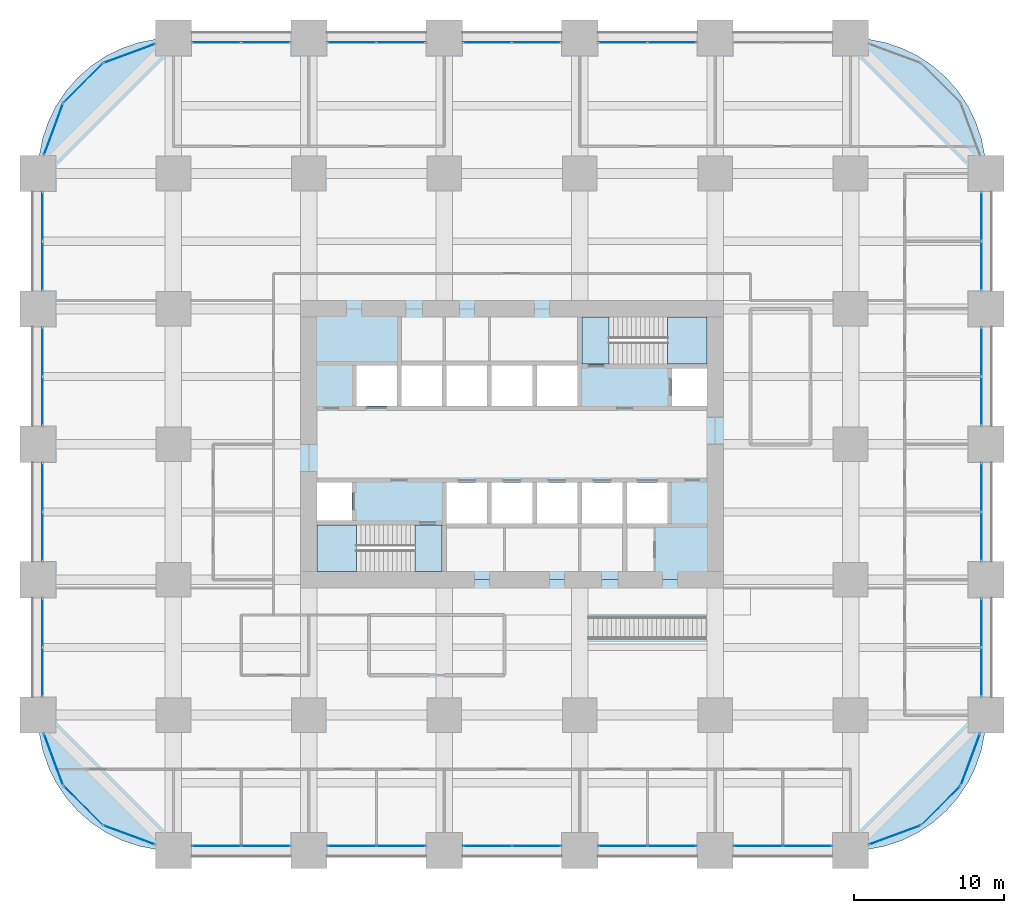
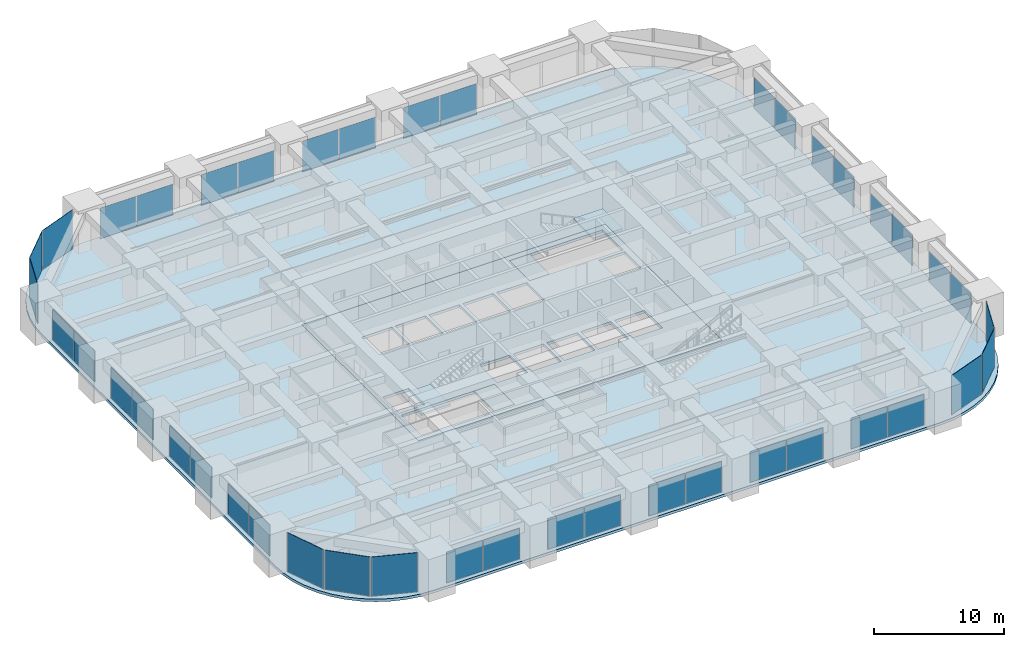
# One storey, part 38 of 45: 43 plates, 6 slabs, 28 elements without a shape of their own.
"""IFC4 building model written with IfcOpenShell, lengths in metres."""

from ifc_helpers import new_model, si_unit, direction, frame, origin, origin_2d, place, context, subcontext, project, spatial, polyline, rectangle, outline, extrude, material, layer, layer_set, type_object, element, aggregate, save


model = new_model("IFC4")

# Units and contexts
model_context = context("Model", 3, precision=1e-05, world=origin(), true_north=direction((0.0, 1.0)))
body_context = subcontext(model_context, "Body", "Model", "MODEL_VIEW")
ifc_project = project(units=[si_unit("LENGTHUNIT", "METRE"), si_unit("AREAUNIT", "SQUARE_METRE"), si_unit("VOLUMEUNIT", "CUBIC_METRE"), si_unit("PLANEANGLEUNIT", "RADIAN"), si_unit("MASSUNIT", "GRAM", prefix="KILO")], contexts=[model_context])

# Site, building, storey
site_placement = place(None, origin())
site = spatial("IfcSite", under=ifc_project, at=site_placement, CompositionType="ELEMENT")
building_placement = place(site_placement, origin())
building = spatial("IfcBuilding", under=site, at=building_placement, Name="Zorevar Civic Tower", CompositionType="ELEMENT")
storey_placement = place(building_placement, frame((0.0, 0.0, 23.800048828125)))
storey = spatial("IfcBuildingStorey", under=building, at=storey_placement, Name="L05", CompositionType="ELEMENT", Elevation=23.800048828125)

# Curtain wall, plates
ifc_material_1 = material(Name="Dark grey solar-control glass in black aluminium frame", Category="aluminium")
curtain_wall_type = type_object("IfcCurtainWallType", Name="Curtain wall CW2 low zone", PredefinedType="NOTDEFINED", material=ifc_material_1)
curtain_wall_1_placement = place(storey_placement, origin())
curtain_wall_1 = element("IfcCurtainWall", 1, at=curtain_wall_1_placement, inside=storey, type_object=curtain_wall_type, Name="CW2 L05", PredefinedType="NOTDEFINED")
ifc_material_2 = material(Name="Dark grey solar-control glass", Category="glass")
ifc_layer_1 = layer(ifc_material_2, 0.031982421875)
ifc_layer_set_1 = layer_set([ifc_layer_1], Name="CW2 panel 32")
plate_type = type_object("IfcPlateType", Name="CW2 panel 32", PredefinedType="CURTAIN_PANEL", material=ifc_layer_set_1)
plate_1_placement = place(storey_placement, frame((11.864990234375, 0.300048828125, 0.06005859375), z_axis=(0.0, 0.0, 1.0), x_axis=(1.0, 0.0, 0.0)))
plate_1 = element("IfcPlate", 2, at=plate_1_placement, type_object=plate_type, Name="CW2 panel 1.1", PredefinedType="CURTAIN_PANEL", context=body_context, shape_type="SweptSolid", body=[
    extrude(rectangle(XDim=3.2099609375, YDim=0.031982421875, at=origin_2d()), origin(), (0.0, 0.0, 1.0), 2.889892578125),
])
plate_2_placement = place(storey_placement, frame((15.135009765625, 0.300048828125, 0.06005859375), z_axis=(0.0, 0.0, 1.0), x_axis=(1.0, 0.0, 0.0)))
plate_2 = element("IfcPlate", 3, at=plate_2_placement, type_object=plate_type, Name="CW2 panel 2.1", PredefinedType="CURTAIN_PANEL", context=body_context, shape_type="SweptSolid", body=[
    extrude(rectangle(XDim=3.2099609375, YDim=0.031982421875, at=origin_2d()), origin(), (0.0, 0.0, 1.0), 2.889892578125),
])
aggregate(curtain_wall_1, [plate_1, plate_2])

curtain_wall_2_placement = place(storey_placement, origin())
curtain_wall_2 = element("IfcCurtainWall", 4, at=curtain_wall_2_placement, inside=storey, type_object=curtain_wall_type, Name="CW2 L05", PredefinedType="NOTDEFINED")
plate_3_placement = place(storey_placement, frame((11.864990234375, 53.699951171875, 0.06005859375), z_axis=(0.0, 0.0, 1.0), x_axis=(1.0, 0.0, 0.0)))
plate_3 = element("IfcPlate", 5, at=plate_3_placement, type_object=plate_type, Name="CW2 panel 1.1", PredefinedType="CURTAIN_PANEL", context=body_context, shape_type="SweptSolid", body=[
    extrude(rectangle(XDim=3.2099609375, YDim=0.031982421875, at=origin_2d()), origin(), (0.0, 0.0, 1.0), 2.889892578125),
])
plate_4_placement = place(storey_placement, frame((15.135009765625, 53.699951171875, 0.06005859375), z_axis=(0.0, 0.0, 1.0), x_axis=(1.0, 0.0, 0.0)))
plate_4 = element("IfcPlate", 6, at=plate_4_placement, type_object=plate_type, Name="CW2 panel 2.1", PredefinedType="CURTAIN_PANEL", context=body_context, shape_type="SweptSolid", body=[
    extrude(rectangle(XDim=3.2099609375, YDim=0.031982421875, at=origin_2d()), origin(), (0.0, 0.0, 1.0), 2.889892578125),
])
aggregate(curtain_wall_2, [plate_3, plate_4])

curtain_wall_3_placement = place(storey_placement, origin())
curtain_wall_3 = element("IfcCurtainWall", 7, at=curtain_wall_3_placement, inside=storey, type_object=curtain_wall_type, Name="CW2 L05", PredefinedType="NOTDEFINED")
plate_5_placement = place(storey_placement, frame((20.864990234375, 0.300048828125, 0.06005859375), z_axis=(0.0, 0.0, 1.0), x_axis=(1.0, 0.0, 0.0)))
plate_5 = element("IfcPlate", 8, at=plate_5_placement, type_object=plate_type, Name="CW2 panel 1.1", PredefinedType="CURTAIN_PANEL", context=body_context, shape_type="SweptSolid", body=[
    extrude(rectangle(XDim=3.2099609375, YDim=0.031982421875, at=origin_2d()), origin(), (0.0, 0.0, 1.0), 2.889892578125),
])
plate_6_placement = place(storey_placement, frame((24.135009765625, 0.300048828125, 0.06005859375), z_axis=(0.0, 0.0, 1.0), x_axis=(1.0, 0.0, 0.0)))
plate_6 = element("IfcPlate", 9, at=plate_6_placement, type_object=plate_type, Name="CW2 panel 2.1", PredefinedType="CURTAIN_PANEL", context=body_context, shape_type="SweptSolid", body=[
    extrude(rectangle(XDim=3.2099609375, YDim=0.031982421875, at=origin_2d()), origin(), (0.0, 0.0, 1.0), 2.889892578125),
])
aggregate(curtain_wall_3, [plate_5, plate_6])

curtain_wall_4_placement = place(storey_placement, origin())
curtain_wall_4 = element("IfcCurtainWall", 10, at=curtain_wall_4_placement, inside=storey, type_object=curtain_wall_type, Name="CW2 L05", PredefinedType="NOTDEFINED")
plate_7_placement = place(storey_placement, frame((20.864990234375, 53.699951171875, 0.06005859375), z_axis=(0.0, 0.0, 1.0), x_axis=(1.0, 0.0, 0.0)))
plate_7 = element("IfcPlate", 11, at=plate_7_placement, type_object=plate_type, Name="CW2 panel 1.1", PredefinedType="CURTAIN_PANEL", context=body_context, shape_type="SweptSolid", body=[
    extrude(rectangle(XDim=3.2099609375, YDim=0.031982421875, at=origin_2d()), origin(), (0.0, 0.0, 1.0), 2.889892578125),
])
plate_8_placement = place(storey_placement, frame((24.135009765625, 53.699951171875, 0.06005859375), z_axis=(0.0, 0.0, 1.0), x_axis=(1.0, 0.0, 0.0)))
plate_8 = element("IfcPlate", 12, at=plate_8_placement, type_object=plate_type, Name="CW2 panel 2.1", PredefinedType="CURTAIN_PANEL", context=body_context, shape_type="SweptSolid", body=[
    extrude(rectangle(XDim=3.2099609375, YDim=0.031982421875, at=origin_2d()), origin(), (0.0, 0.0, 1.0), 2.889892578125),
])
aggregate(curtain_wall_4, [plate_7, plate_8])

curtain_wall_5_placement = place(storey_placement, origin())
curtain_wall_5 = element("IfcCurtainWall", 13, at=curtain_wall_5_placement, inside=storey, type_object=curtain_wall_type, Name="CW2 L05", PredefinedType="NOTDEFINED")
plate_9_placement = place(storey_placement, frame((29.864990234375, 0.300048828125, 0.06005859375), z_axis=(0.0, 0.0, 1.0), x_axis=(1.0, 0.0, 0.0)))
plate_9 = element("IfcPlate", 14, at=plate_9_placement, type_object=plate_type, Name="CW2 panel 1.1", PredefinedType="CURTAIN_PANEL", context=body_context, shape_type="SweptSolid", body=[
    extrude(rectangle(XDim=3.2099609375, YDim=0.031982421875, at=origin_2d()), origin(), (0.0, 0.0, 1.0), 2.889892578125),
])
plate_10_placement = place(storey_placement, frame((33.135009765625, 0.300048828125, 0.06005859375), z_axis=(0.0, 0.0, 1.0), x_axis=(1.0, 0.0, 0.0)))
plate_10 = element("IfcPlate", 15, at=plate_10_placement, type_object=plate_type, Name="CW2 panel 2.1", PredefinedType="CURTAIN_PANEL", context=body_context, shape_type="SweptSolid", body=[
    extrude(rectangle(XDim=3.2099609375, YDim=0.031982421875, at=origin_2d()), origin(), (0.0, 0.0, 1.0), 2.889892578125),
])
aggregate(curtain_wall_5, [plate_9, plate_10])

curtain_wall_6_placement = place(storey_placement, origin())
curtain_wall_6 = element("IfcCurtainWall", 16, at=curtain_wall_6_placement, inside=storey, type_object=curtain_wall_type, Name="CW2 L05", PredefinedType="NOTDEFINED")
plate_11_placement = place(storey_placement, frame((29.864990234375, 53.699951171875, 0.06005859375), z_axis=(0.0, 0.0, 1.0), x_axis=(1.0, 0.0, 0.0)))
plate_11 = element("IfcPlate", 17, at=plate_11_placement, type_object=plate_type, Name="CW2 panel 1.1", PredefinedType="CURTAIN_PANEL", context=body_context, shape_type="SweptSolid", body=[
    extrude(rectangle(XDim=3.2099609375, YDim=0.031982421875, at=origin_2d()), origin(), (0.0, 0.0, 1.0), 2.889892578125),
])
plate_12_placement = place(storey_placement, frame((33.135009765625, 53.699951171875, 0.06005859375), z_axis=(0.0, 0.0, 1.0), x_axis=(1.0, 0.0, 0.0)))
plate_12 = element("IfcPlate", 18, at=plate_12_placement, type_object=plate_type, Name="CW2 panel 2.1", PredefinedType="CURTAIN_PANEL", context=body_context, shape_type="SweptSolid", body=[
    extrude(rectangle(XDim=3.2099609375, YDim=0.031982421875, at=origin_2d()), origin(), (0.0, 0.0, 1.0), 2.889892578125),
])
aggregate(curtain_wall_6, [plate_11, plate_12])

curtain_wall_7_placement = place(storey_placement, origin())
curtain_wall_7 = element("IfcCurtainWall", 19, at=curtain_wall_7_placement, inside=storey, type_object=curtain_wall_type, Name="CW2 L05", PredefinedType="NOTDEFINED")
plate_13_placement = place(storey_placement, frame((38.864990234375, 0.300048828125, 0.06005859375), z_axis=(0.0, 0.0, 1.0), x_axis=(1.0, 0.0, 0.0)))
plate_13 = element("IfcPlate", 20, at=plate_13_placement, type_object=plate_type, Name="CW2 panel 1.1", PredefinedType="CURTAIN_PANEL", context=body_context, shape_type="SweptSolid", body=[
    extrude(rectangle(XDim=3.2099609375, YDim=0.031982421875, at=origin_2d()), origin(), (0.0, 0.0, 1.0), 2.889892578125),
])
plate_14_placement = place(storey_placement, frame((42.135009765625, 0.300048828125, 0.06005859375), z_axis=(0.0, 0.0, 1.0), x_axis=(1.0, 0.0, 0.0)))
plate_14 = element("IfcPlate", 21, at=plate_14_placement, type_object=plate_type, Name="CW2 panel 2.1", PredefinedType="CURTAIN_PANEL", context=body_context, shape_type="SweptSolid", body=[
    extrude(rectangle(XDim=3.2099609375, YDim=0.031982421875, at=origin_2d()), origin(), (0.0, 0.0, 1.0), 2.889892578125),
])
aggregate(curtain_wall_7, [plate_13, plate_14])

curtain_wall_8_placement = place(storey_placement, origin())
curtain_wall_8 = element("IfcCurtainWall", 22, at=curtain_wall_8_placement, inside=storey, type_object=curtain_wall_type, Name="CW2 L05", PredefinedType="NOTDEFINED")
plate_15_placement = place(storey_placement, frame((38.864990234375, 53.699951171875, 0.06005859375), z_axis=(0.0, 0.0, 1.0), x_axis=(1.0, 0.0, 0.0)))
plate_15 = element("IfcPlate", 23, at=plate_15_placement, type_object=plate_type, Name="CW2 panel 1.1", PredefinedType="CURTAIN_PANEL", context=body_context, shape_type="SweptSolid", body=[
    extrude(rectangle(XDim=3.2099609375, YDim=0.031982421875, at=origin_2d()), origin(), (0.0, 0.0, 1.0), 2.889892578125),
])
plate_16_placement = place(storey_placement, frame((42.135009765625, 53.699951171875, 0.06005859375), z_axis=(0.0, 0.0, 1.0), x_axis=(1.0, 0.0, 0.0)))
plate_16 = element("IfcPlate", 24, at=plate_16_placement, type_object=plate_type, Name="CW2 panel 2.1", PredefinedType="CURTAIN_PANEL", context=body_context, shape_type="SweptSolid", body=[
    extrude(rectangle(XDim=3.2099609375, YDim=0.031982421875, at=origin_2d()), origin(), (0.0, 0.0, 1.0), 2.889892578125),
])
aggregate(curtain_wall_8, [plate_15, plate_16])

curtain_wall_9_placement = place(storey_placement, origin())
curtain_wall_9 = element("IfcCurtainWall", 25, at=curtain_wall_9_placement, inside=storey, type_object=curtain_wall_type, Name="CW2 L05", PredefinedType="NOTDEFINED")
plate_17_placement = place(storey_placement, frame((47.864990234375, 0.300048828125, 0.06005859375), z_axis=(0.0, 0.0, 1.0), x_axis=(1.0, 0.0, 0.0)))
plate_17 = element("IfcPlate", 26, at=plate_17_placement, type_object=plate_type, Name="CW2 panel 1.1", PredefinedType="CURTAIN_PANEL", context=body_context, shape_type="SweptSolid", body=[
    extrude(rectangle(XDim=3.2099609375, YDim=0.031982421875, at=origin_2d()), origin(), (0.0, 0.0, 1.0), 2.889892578125),
])
plate_18_placement = place(storey_placement, frame((51.135009765625, 0.300048828125, 0.06005859375), z_axis=(0.0, 0.0, 1.0), x_axis=(1.0, 0.0, 0.0)))
plate_18 = element("IfcPlate", 27, at=plate_18_placement, type_object=plate_type, Name="CW2 panel 2.1", PredefinedType="CURTAIN_PANEL", context=body_context, shape_type="SweptSolid", body=[
    extrude(rectangle(XDim=3.2099609375, YDim=0.031982421875, at=origin_2d()), origin(), (0.0, 0.0, 1.0), 2.889892578125),
])
aggregate(curtain_wall_9, [plate_17, plate_18])

curtain_wall_10_placement = place(storey_placement, origin())
curtain_wall_10 = element("IfcCurtainWall", 28, at=curtain_wall_10_placement, inside=storey, type_object=curtain_wall_type, Name="CW2 L05", PredefinedType="NOTDEFINED")
plate_19_placement = place(storey_placement, frame((0.300048828125, 11.864990234375, 0.06005859375), z_axis=(0.0, 0.0, 1.0), x_axis=(0.0, 1.0, 0.0)))
plate_19 = element("IfcPlate", 29, at=plate_19_placement, type_object=plate_type, Name="CW2 panel 1.1", PredefinedType="CURTAIN_PANEL", context=body_context, shape_type="SweptSolid", body=[
    extrude(rectangle(XDim=3.2099609375, YDim=0.031982421875, at=origin_2d()), origin(), (0.0, 0.0, 1.0), 2.889892578125),
])
plate_20_placement = place(storey_placement, frame((0.300048828125, 15.135009765625, 0.06005859375), z_axis=(0.0, 0.0, 1.0), x_axis=(0.0, 1.0, 0.0)))
plate_20 = element("IfcPlate", 30, at=plate_20_placement, type_object=plate_type, Name="CW2 panel 2.1", PredefinedType="CURTAIN_PANEL", context=body_context, shape_type="SweptSolid", body=[
    extrude(rectangle(XDim=3.2099609375, YDim=0.031982421875, at=origin_2d()), origin(), (0.0, 0.0, 1.0), 2.889892578125),
])
aggregate(curtain_wall_10, [plate_19, plate_20])

curtain_wall_11_placement = place(storey_placement, origin())
curtain_wall_11 = element("IfcCurtainWall", 31, at=curtain_wall_11_placement, inside=storey, type_object=curtain_wall_type, Name="CW2 L05", PredefinedType="NOTDEFINED")
plate_21_placement = place(storey_placement, frame((62.699951171875, 11.864990234375, 0.06005859375), z_axis=(0.0, 0.0, 1.0), x_axis=(0.0, 1.0, 0.0)))
plate_21 = element("IfcPlate", 32, at=plate_21_placement, type_object=plate_type, Name="CW2 panel 1.1", PredefinedType="CURTAIN_PANEL", context=body_context, shape_type="SweptSolid", body=[
    extrude(rectangle(XDim=3.2099609375, YDim=0.031982421875, at=origin_2d()), origin(), (0.0, 0.0, 1.0), 2.889892578125),
])
plate_22_placement = place(storey_placement, frame((62.699951171875, 15.135009765625, 0.06005859375), z_axis=(0.0, 0.0, 1.0), x_axis=(0.0, 1.0, 0.0)))
plate_22 = element("IfcPlate", 33, at=plate_22_placement, type_object=plate_type, Name="CW2 panel 2.1", PredefinedType="CURTAIN_PANEL", context=body_context, shape_type="SweptSolid", body=[
    extrude(rectangle(XDim=3.2099609375, YDim=0.031982421875, at=origin_2d()), origin(), (0.0, 0.0, 1.0), 2.889892578125),
])
aggregate(curtain_wall_11, [plate_21, plate_22])

curtain_wall_12_placement = place(storey_placement, origin())
curtain_wall_12 = element("IfcCurtainWall", 34, at=curtain_wall_12_placement, inside=storey, type_object=curtain_wall_type, Name="CW2 L05", PredefinedType="NOTDEFINED")
plate_23_placement = place(storey_placement, frame((0.300048828125, 20.864990234375, 0.06005859375), z_axis=(0.0, 0.0, 1.0), x_axis=(0.0, 1.0, 0.0)))
plate_23 = element("IfcPlate", 35, at=plate_23_placement, type_object=plate_type, Name="CW2 panel 1.1", PredefinedType="CURTAIN_PANEL", context=body_context, shape_type="SweptSolid", body=[
    extrude(rectangle(XDim=3.2099609375, YDim=0.031982421875, at=origin_2d()), origin(), (0.0, 0.0, 1.0), 2.889892578125),
])
plate_24_placement = place(storey_placement, frame((0.300048828125, 24.135009765625, 0.06005859375), z_axis=(0.0, 0.0, 1.0), x_axis=(0.0, 1.0, 0.0)))
plate_24 = element("IfcPlate", 36, at=plate_24_placement, type_object=plate_type, Name="CW2 panel 2.1", PredefinedType="CURTAIN_PANEL", context=body_context, shape_type="SweptSolid", body=[
    extrude(rectangle(XDim=3.2099609375, YDim=0.031982421875, at=origin_2d()), origin(), (0.0, 0.0, 1.0), 2.889892578125),
])
aggregate(curtain_wall_12, [plate_23, plate_24])

curtain_wall_13_placement = place(storey_placement, origin())
curtain_wall_13 = element("IfcCurtainWall", 37, at=curtain_wall_13_placement, inside=storey, type_object=curtain_wall_type, Name="CW2 L05", PredefinedType="NOTDEFINED")
plate_25_placement = place(storey_placement, frame((62.699951171875, 20.864990234375, 0.06005859375), z_axis=(0.0, 0.0, 1.0), x_axis=(0.0, 1.0, 0.0)))
plate_25 = element("IfcPlate", 38, at=plate_25_placement, type_object=plate_type, Name="CW2 panel 1.1", PredefinedType="CURTAIN_PANEL", context=body_context, shape_type="SweptSolid", body=[
    extrude(rectangle(XDim=3.2099609375, YDim=0.031982421875, at=origin_2d()), origin(), (0.0, 0.0, 1.0), 2.889892578125),
])
plate_26_placement = place(storey_placement, frame((62.699951171875, 24.135009765625, 0.06005859375), z_axis=(0.0, 0.0, 1.0), x_axis=(0.0, 1.0, 0.0)))
plate_26 = element("IfcPlate", 39, at=plate_26_placement, type_object=plate_type, Name="CW2 panel 2.1", PredefinedType="CURTAIN_PANEL", context=body_context, shape_type="SweptSolid", body=[
    extrude(rectangle(XDim=3.2099609375, YDim=0.031982421875, at=origin_2d()), origin(), (0.0, 0.0, 1.0), 2.889892578125),
])
aggregate(curtain_wall_13, [plate_25, plate_26])

curtain_wall_14_placement = place(storey_placement, origin())
curtain_wall_14 = element("IfcCurtainWall", 40, at=curtain_wall_14_placement, inside=storey, type_object=curtain_wall_type, Name="CW2 L05", PredefinedType="NOTDEFINED")
plate_27_placement = place(storey_placement, frame((0.300048828125, 29.864990234375, 0.06005859375), z_axis=(0.0, 0.0, 1.0), x_axis=(0.0, 1.0, 0.0)))
plate_27 = element("IfcPlate", 41, at=plate_27_placement, type_object=plate_type, Name="CW2 panel 1.1", PredefinedType="CURTAIN_PANEL", context=body_context, shape_type="SweptSolid", body=[
    extrude(rectangle(XDim=3.2099609375, YDim=0.031982421875, at=origin_2d()), origin(), (0.0, 0.0, 1.0), 2.889892578125),
])
plate_28_placement = place(storey_placement, frame((0.300048828125, 33.135009765625, 0.06005859375), z_axis=(0.0, 0.0, 1.0), x_axis=(0.0, 1.0, 0.0)))
plate_28 = element("IfcPlate", 42, at=plate_28_placement, type_object=plate_type, Name="CW2 panel 2.1", PredefinedType="CURTAIN_PANEL", context=body_context, shape_type="SweptSolid", body=[
    extrude(rectangle(XDim=3.2099609375, YDim=0.031982421875, at=origin_2d()), origin(), (0.0, 0.0, 1.0), 2.889892578125),
])
aggregate(curtain_wall_14, [plate_27, plate_28])

curtain_wall_15_placement = place(storey_placement, origin())
curtain_wall_15 = element("IfcCurtainWall", 43, at=curtain_wall_15_placement, inside=storey, type_object=curtain_wall_type, Name="CW2 L05", PredefinedType="NOTDEFINED")
plate_29_placement = place(storey_placement, frame((62.699951171875, 29.864990234375, 0.06005859375), z_axis=(0.0, 0.0, 1.0), x_axis=(0.0, 1.0, 0.0)))
plate_29 = element("IfcPlate", 44, at=plate_29_placement, type_object=plate_type, Name="CW2 panel 1.1", PredefinedType="CURTAIN_PANEL", context=body_context, shape_type="SweptSolid", body=[
    extrude(rectangle(XDim=3.2099609375, YDim=0.031982421875, at=origin_2d()), origin(), (0.0, 0.0, 1.0), 2.889892578125),
])
plate_30_placement = place(storey_placement, frame((62.699951171875, 33.135009765625, 0.06005859375), z_axis=(0.0, 0.0, 1.0), x_axis=(0.0, 1.0, 0.0)))
plate_30 = element("IfcPlate", 45, at=plate_30_placement, type_object=plate_type, Name="CW2 panel 2.1", PredefinedType="CURTAIN_PANEL", context=body_context, shape_type="SweptSolid", body=[
    extrude(rectangle(XDim=3.2099609375, YDim=0.031982421875, at=origin_2d()), origin(), (0.0, 0.0, 1.0), 2.889892578125),
])
aggregate(curtain_wall_15, [plate_29, plate_30])

curtain_wall_16_placement = place(storey_placement, origin())
curtain_wall_16 = element("IfcCurtainWall", 46, at=curtain_wall_16_placement, inside=storey, type_object=curtain_wall_type, Name="CW2 L05", PredefinedType="NOTDEFINED")
plate_31_placement = place(storey_placement, frame((0.300048828125, 38.864990234375, 0.06005859375), z_axis=(0.0, 0.0, 1.0), x_axis=(0.0, 1.0, 0.0)))
plate_31 = element("IfcPlate", 47, at=plate_31_placement, type_object=plate_type, Name="CW2 panel 1.1", PredefinedType="CURTAIN_PANEL", context=body_context, shape_type="SweptSolid", body=[
    extrude(rectangle(XDim=3.2099609375, YDim=0.031982421875, at=origin_2d()), origin(), (0.0, 0.0, 1.0), 2.889892578125),
])
plate_32_placement = place(storey_placement, frame((0.300048828125, 42.135009765625, 0.06005859375), z_axis=(0.0, 0.0, 1.0), x_axis=(0.0, 1.0, 0.0)))
plate_32 = element("IfcPlate", 48, at=plate_32_placement, type_object=plate_type, Name="CW2 panel 2.1", PredefinedType="CURTAIN_PANEL", context=body_context, shape_type="SweptSolid", body=[
    extrude(rectangle(XDim=3.2099609375, YDim=0.031982421875, at=origin_2d()), origin(), (0.0, 0.0, 1.0), 2.889892578125),
])
aggregate(curtain_wall_16, [plate_31, plate_32])

curtain_wall_17_placement = place(storey_placement, origin())
curtain_wall_17 = element("IfcCurtainWall", 49, at=curtain_wall_17_placement, inside=storey, type_object=curtain_wall_type, Name="CW2 L05", PredefinedType="NOTDEFINED")
plate_33_placement = place(storey_placement, frame((62.699951171875, 38.864990234375, 0.06005859375), z_axis=(0.0, 0.0, 1.0), x_axis=(0.0, 1.0, 0.0)))
plate_33 = element("IfcPlate", 50, at=plate_33_placement, type_object=plate_type, Name="CW2 panel 1.1", PredefinedType="CURTAIN_PANEL", context=body_context, shape_type="SweptSolid", body=[
    extrude(rectangle(XDim=3.2099609375, YDim=0.031982421875, at=origin_2d()), origin(), (0.0, 0.0, 1.0), 2.889892578125),
])
plate_34_placement = place(storey_placement, frame((62.699951171875, 42.135009765625, 0.06005859375), z_axis=(0.0, 0.0, 1.0), x_axis=(0.0, 1.0, 0.0)))
plate_34 = element("IfcPlate", 51, at=plate_34_placement, type_object=plate_type, Name="CW2 panel 2.1", PredefinedType="CURTAIN_PANEL", context=body_context, shape_type="SweptSolid", body=[
    extrude(rectangle(XDim=3.2099609375, YDim=0.031982421875, at=origin_2d()), origin(), (0.0, 0.0, 1.0), 2.889892578125),
])
aggregate(curtain_wall_17, [plate_33, plate_34])

# Curtain wall, plate
curtain_wall_18_placement = place(storey_placement, origin())
curtain_wall_18 = element("IfcCurtainWall", 52, at=curtain_wall_18_placement, inside=storey, type_object=curtain_wall_type, Name="CW2 L05", PredefinedType="NOTDEFINED")
plate_35_placement = place(storey_placement, frame((56.9462890625, 1.02880859375, 0.06005859375), z_axis=(0.0, 0.0, 1.0), x_axis=(0.937974588163, 0.346704012033, 0.0)))
plate_35 = element("IfcPlate", 53, at=plate_35_placement, type_object=plate_type, Name="CW2 panel 1.1", PredefinedType="CURTAIN_PANEL", context=body_context, shape_type="SweptSolid", body=[
    extrude(rectangle(XDim=3.603759765625, YDim=0.031982421875, at=origin_2d()), origin(), (0.0, 0.0, 1.0), 3.68994140625),
])
aggregate(curtain_wall_18, [plate_35])

curtain_wall_19_placement = place(storey_placement, origin())
curtain_wall_19 = element("IfcCurtainWall", 54, at=curtain_wall_19_placement, inside=storey, type_object=curtain_wall_type, Name="CW2 L05", PredefinedType="NOTDEFINED")
plate_36_placement = place(storey_placement, frame((60.00927734375, 2.99072265625, 0.06005859375), z_axis=(0.0, 0.0, 1.0), x_axis=(0.707106781187, 0.707106781187, 0.0)))
plate_36 = element("IfcPlate", 55, at=plate_36_placement, type_object=plate_type, Name="CW2 panel 1.1", PredefinedType="CURTAIN_PANEL", context=body_context, shape_type="SweptSolid", body=[
    extrude(rectangle(XDim=3.603759765625, YDim=0.031982421875, at=origin_2d()), origin(), (0.0, 0.0, 1.0), 3.68994140625),
])
aggregate(curtain_wall_19, [plate_36])

curtain_wall_20_placement = place(storey_placement, origin())
curtain_wall_20 = element("IfcCurtainWall", 56, at=curtain_wall_20_placement, inside=storey, type_object=curtain_wall_type, Name="CW2 L05", PredefinedType="NOTDEFINED")
plate_37_placement = place(storey_placement, frame((61.97119140625, 6.0537109375, 0.06005859375), z_axis=(0.0, 0.0, 1.0), x_axis=(0.346704012033, 0.937974588163, 0.0)))
plate_37 = element("IfcPlate", 57, at=plate_37_placement, type_object=plate_type, Name="CW2 panel 1.1", PredefinedType="CURTAIN_PANEL", context=body_context, shape_type="SweptSolid", body=[
    extrude(rectangle(XDim=3.603759765625, YDim=0.031982421875, at=origin_2d()), origin(), (0.0, 0.0, 1.0), 3.68994140625),
])
aggregate(curtain_wall_20, [plate_37])

curtain_wall_21_placement = place(storey_placement, origin())
curtain_wall_21 = element("IfcCurtainWall", 58, at=curtain_wall_21_placement, inside=storey, type_object=curtain_wall_type, Name="CW2 L05", PredefinedType="NOTDEFINED")
plate_38_placement = place(storey_placement, frame((6.0537109375, 52.97119140625, 0.06005859375), z_axis=(0.0, 0.0, 1.0), x_axis=(-0.937974588163, -0.346704012033, 0.0)))
plate_38 = element("IfcPlate", 59, at=plate_38_placement, type_object=plate_type, Name="CW2 panel 1.1", PredefinedType="CURTAIN_PANEL", context=body_context, shape_type="SweptSolid", body=[
    extrude(rectangle(XDim=3.603759765625, YDim=0.031982421875, at=origin_2d()), origin(), (0.0, 0.0, 1.0), 3.68994140625),
])
aggregate(curtain_wall_21, [plate_38])

curtain_wall_22_placement = place(storey_placement, origin())
curtain_wall_22 = element("IfcCurtainWall", 60, at=curtain_wall_22_placement, inside=storey, type_object=curtain_wall_type, Name="CW2 L05", PredefinedType="NOTDEFINED")
plate_39_placement = place(storey_placement, frame((2.99072265625, 51.00927734375, 0.06005859375), z_axis=(0.0, 0.0, 1.0), x_axis=(-0.707106781187, -0.707106781187, 0.0)))
plate_39 = element("IfcPlate", 61, at=plate_39_placement, type_object=plate_type, Name="CW2 panel 1.1", PredefinedType="CURTAIN_PANEL", context=body_context, shape_type="SweptSolid", body=[
    extrude(rectangle(XDim=3.603759765625, YDim=0.031982421875, at=origin_2d()), origin(), (0.0, 0.0, 1.0), 3.68994140625),
])
aggregate(curtain_wall_22, [plate_39])

curtain_wall_23_placement = place(storey_placement, origin())
curtain_wall_23 = element("IfcCurtainWall", 62, at=curtain_wall_23_placement, inside=storey, type_object=curtain_wall_type, Name="CW2 L05", PredefinedType="NOTDEFINED")
plate_40_placement = place(storey_placement, frame((1.02880859375, 47.9462890625, 0.06005859375), z_axis=(0.0, 0.0, 1.0), x_axis=(-0.346704012033, -0.937974588163, 0.0)))
plate_40 = element("IfcPlate", 63, at=plate_40_placement, type_object=plate_type, Name="CW2 panel 1.1", PredefinedType="CURTAIN_PANEL", context=body_context, shape_type="SweptSolid", body=[
    extrude(rectangle(XDim=3.603759765625, YDim=0.031982421875, at=origin_2d()), origin(), (0.0, 0.0, 1.0), 3.68994140625),
])
aggregate(curtain_wall_23, [plate_40])

curtain_wall_24_placement = place(storey_placement, origin())
curtain_wall_24 = element("IfcCurtainWall", 64, at=curtain_wall_24_placement, inside=storey, type_object=curtain_wall_type, Name="CW2 L05", PredefinedType="NOTDEFINED")
plate_41_placement = place(storey_placement, frame((1.02880859375, 6.0537109375, 0.06005859375), z_axis=(0.0, 0.0, 1.0), x_axis=(0.346704012033, -0.937974588163, 0.0)))
plate_41 = element("IfcPlate", 65, at=plate_41_placement, type_object=plate_type, Name="CW2 panel 1.1", PredefinedType="CURTAIN_PANEL", context=body_context, shape_type="SweptSolid", body=[
    extrude(rectangle(XDim=3.603759765625, YDim=0.031982421875, at=origin_2d()), origin(), (0.0, 0.0, 1.0), 3.68994140625),
])
aggregate(curtain_wall_24, [plate_41])

curtain_wall_25_placement = place(storey_placement, origin())
curtain_wall_25 = element("IfcCurtainWall", 66, at=curtain_wall_25_placement, inside=storey, type_object=curtain_wall_type, Name="CW2 L05", PredefinedType="NOTDEFINED")
plate_42_placement = place(storey_placement, frame((2.99072265625, 2.99072265625, 0.06005859375), z_axis=(0.0, 0.0, 1.0), x_axis=(0.707106781187, -0.707106781187, 0.0)))
plate_42 = element("IfcPlate", 67, at=plate_42_placement, type_object=plate_type, Name="CW2 panel 1.1", PredefinedType="CURTAIN_PANEL", context=body_context, shape_type="SweptSolid", body=[
    extrude(rectangle(XDim=3.603759765625, YDim=0.031982421875, at=origin_2d()), origin(), (0.0, 0.0, 1.0), 3.68994140625),
])
aggregate(curtain_wall_25, [plate_42])

curtain_wall_26_placement = place(storey_placement, origin())
curtain_wall_26 = element("IfcCurtainWall", 68, at=curtain_wall_26_placement, inside=storey, type_object=curtain_wall_type, Name="CW2 L05", PredefinedType="NOTDEFINED")
plate_43_placement = place(storey_placement, frame((6.0537109375, 1.02880859375, 0.06005859375), z_axis=(0.0, 0.0, 1.0), x_axis=(0.937974588163, -0.346704012033, 0.0)))
plate_43 = element("IfcPlate", 69, at=plate_43_placement, type_object=plate_type, Name="CW2 panel 1.1", PredefinedType="CURTAIN_PANEL", context=body_context, shape_type="SweptSolid", body=[
    extrude(rectangle(XDim=3.603759765625, YDim=0.031982421875, at=origin_2d()), origin(), (0.0, 0.0, 1.0), 3.68994140625),
])
aggregate(curtain_wall_26, [plate_43])

# Slabs
ifc_material_3 = material(Name="Concrete C40/50", Category="concrete")
ifc_layer_2 = layer(ifc_material_3, 0.25)
ifc_layer_set_2 = layer_set([ifc_layer_2], Name="Floor slab 250")
slab_type_1 = type_object("IfcSlabType", Name="Floor slab 250", PredefinedType="FLOOR", material=ifc_layer_set_2)
slab_1_placement = place(storey_placement, frame((0.0, 0.0, -0.25)))
element("IfcSlab", 70, at=slab_1_placement, inside=storey, type_object=slab_type_1, Name="Floor slab L05", PredefinedType="FLOOR", context=body_context, shape_type="SweptSolid", body=[
    extrude(outline(polyline([(54.0, 0.0), (55.1748046875, 0.076904296875), (56.329345703125, 0.306640625), (57.444091796875, 0.68505859375), (58.5, 1.205810546875), (59.478759765625, 1.85986328125), (60.364013671875, 2.635986328125), (61.14013671875, 3.521240234375), (61.794189453125, 4.5), (62.31494140625, 5.555908203125), (62.693359375, 6.670654296875), (62.923095703125, 7.8251953125), (63.0, 9.0), (63.0, 45.0), (62.923095703125, 46.1748046875), (62.693359375, 47.329345703125), (62.31494140625, 48.444091796875), (61.794189453125, 49.5), (61.14013671875, 50.478759765625), (60.364013671875, 51.364013671875), (59.478759765625, 52.14013671875), (58.5, 52.794189453125), (57.444091796875, 53.31494140625), (56.329345703125, 53.693359375), (55.1748046875, 53.923095703125), (54.0, 54.0), (9.0, 54.0), (7.8251953125, 53.923095703125), (6.670654296875, 53.693359375), (5.555908203125, 53.31494140625), (4.5, 52.794189453125), (3.521240234375, 52.14013671875), (2.635986328125, 51.364013671875), (1.85986328125, 50.478759765625), (1.205810546875, 49.5), (0.68505859375, 48.444091796875), (0.306640625, 47.329345703125), (0.076904296875, 46.1748046875), (0.0, 45.0), (0.0, 9.0), (0.076904296875, 7.8251953125), (0.306640625, 6.670654296875), (0.68505859375, 5.555908203125), (1.205810546875, 4.5), (1.85986328125, 3.521240234375), (2.635986328125, 2.635986328125), (3.521240234375, 1.85986328125), (4.5, 1.205810546875), (5.555908203125, 0.68505859375), (6.670654296875, 0.306640625), (7.8251953125, 0.076904296875), (9.0, 0.0), (54.0, 0.0)]), holes=[polyline([(18.0, 18.0), (45.0, 18.0), (45.0, 36.0), (18.0, 36.0), (18.0, 18.0)])]), origin(), (0.0, 0.0, 1.0), 0.25),
])
slab_2_placement = place(storey_placement, frame((0.0, 0.0, -0.25)))
element("IfcSlab", 71, at=slab_2_placement, inside=storey, type_object=slab_type_1, Name="Core floor L05", PredefinedType="FLOOR", context=body_context, shape_type="SweptSolid", body=[
    extrude(outline(polyline([(18.0, 18.0), (45.0, 18.0), (45.0, 36.0), (18.0, 36.0), (18.0, 18.0)]), holes=[polyline([(18.550048828125, 18.550048828125), (26.85009765625, 18.550048828125), (26.85009765625, 21.64990234375), (18.550048828125, 21.64990234375), (18.550048828125, 18.550048828125)]), polyline([(36.14990234375, 32.35009765625), (44.449951171875, 32.35009765625), (44.449951171875, 35.449951171875), (36.14990234375, 35.449951171875), (36.14990234375, 32.35009765625)]), polyline([(18.550048828125, 21.949951171875), (20.85009765625, 21.949951171875), (20.85009765625, 24.449951171875), (18.550048828125, 24.449951171875), (18.550048828125, 21.949951171875)]), polyline([(42.14990234375, 29.550048828125), (44.449951171875, 29.550048828125), (44.449951171875, 32.050048828125), (42.14990234375, 32.050048828125), (42.14990234375, 29.550048828125)]), polyline([(27.14990234375, 21.75), (29.85009765625, 21.75), (29.85009765625, 24.449951171875), (27.14990234375, 24.449951171875), (27.14990234375, 21.75)]), polyline([(33.14990234375, 29.550048828125), (35.85009765625, 29.550048828125), (35.85009765625, 32.25), (33.14990234375, 32.25), (33.14990234375, 29.550048828125)]), polyline([(30.14990234375, 21.75), (32.85009765625, 21.75), (32.85009765625, 24.449951171875), (30.14990234375, 24.449951171875), (30.14990234375, 21.75)]), polyline([(30.14990234375, 29.550048828125), (32.85009765625, 29.550048828125), (32.85009765625, 32.25), (30.14990234375, 32.25), (30.14990234375, 29.550048828125)]), polyline([(33.14990234375, 21.75), (35.85009765625, 21.75), (35.85009765625, 24.449951171875), (33.14990234375, 24.449951171875), (33.14990234375, 21.75)]), polyline([(27.14990234375, 29.550048828125), (29.85009765625, 29.550048828125), (29.85009765625, 32.25), (27.14990234375, 32.25), (27.14990234375, 29.550048828125)]), polyline([(36.14990234375, 21.75), (38.85009765625, 21.75), (38.85009765625, 24.449951171875), (36.14990234375, 24.449951171875), (36.14990234375, 21.75)]), polyline([(24.14990234375, 29.550048828125), (26.85009765625, 29.550048828125), (26.85009765625, 32.25), (24.14990234375, 32.25), (24.14990234375, 29.550048828125)]), polyline([(39.14990234375, 21.75), (41.85009765625, 21.75), (41.85009765625, 24.449951171875), (39.14990234375, 24.449951171875), (39.14990234375, 21.75)]), polyline([(21.14990234375, 29.550048828125), (23.85009765625, 29.550048828125), (23.85009765625, 32.25), (21.14990234375, 32.25), (21.14990234375, 29.550048828125)])]), origin(), (0.0, 0.0, 1.0), 0.25),
])

# Stair, slabs
ifc_material_4 = material(Name="Precast concrete C40/50", Category="concrete")
stair_type = type_object("IfcStairType", Name="Stair ST 28R", PredefinedType="HALF_TURN_STAIR", material=ifc_material_4)
stair_1_placement = place(storey_placement, origin())
stair_1 = element("IfcStair", 72, at=stair_1_placement, inside=storey, type_object=stair_type, Name="Stair ST1 L05", PredefinedType="HALF_TURN_STAIR")
ifc_material_5 = material(Name="Concrete C40/50", Category="concrete")
ifc_layer_3 = layer(ifc_material_5, 0.199951171875)
ifc_layer_set_3 = layer_set([ifc_layer_3], Name="Stair landing 200")
slab_type_2 = type_object("IfcSlabType", Name="Stair landing 200", PredefinedType="LANDING", material=ifc_layer_set_3)
slab_3_placement = place(storey_placement, frame((0.0, 0.0, -0.199951171875)))
slab_3 = element("IfcSlab", 73, at=slab_3_placement, type_object=slab_type_2, Name="ST1 landing 1", PredefinedType="LANDING", context=body_context, shape_type="SweptSolid", body=[
    extrude(outline(polyline([(25.050048828125, 18.550048828125), (26.85009765625, 18.550048828125), (26.85009765625, 21.64990234375), (25.050048828125, 21.64990234375), (25.050048828125, 18.550048828125)])), origin(), (0.0, 0.0, 1.0), 0.199951171875),
])
slab_4_placement = place(storey_placement, frame((0.0, 0.0, 1.800048828125)))
slab_4 = element("IfcSlab", 74, at=slab_4_placement, type_object=slab_type_2, Name="ST1 landing 2", PredefinedType="LANDING", context=body_context, shape_type="SweptSolid", body=[
    extrude(outline(polyline([(18.550048828125, 18.550048828125), (21.14990234375, 18.550048828125), (21.14990234375, 21.64990234375), (18.550048828125, 21.64990234375), (18.550048828125, 18.550048828125)])), origin(), (0.0, 0.0, 1.0), 0.199951171875),
])
aggregate(stair_1, [slab_3, slab_4])

stair_2_placement = place(storey_placement, origin())
stair_2 = element("IfcStair", 75, at=stair_2_placement, inside=storey, type_object=stair_type, Name="Stair ST2 L05", PredefinedType="HALF_TURN_STAIR")
slab_5_placement = place(storey_placement, frame((0.0, 0.0, -0.199951171875)))
slab_5 = element("IfcSlab", 76, at=slab_5_placement, type_object=slab_type_2, Name="ST2 landing 1", PredefinedType="LANDING", context=body_context, shape_type="SweptSolid", body=[
    extrude(outline(polyline([(37.949951171875, 32.35009765625), (36.14990234375, 32.35009765625), (36.14990234375, 35.449951171875), (37.949951171875, 35.449951171875), (37.949951171875, 32.35009765625)])), origin(), (0.0, 0.0, 1.0), 0.199951171875),
])
slab_6_placement = place(storey_placement, frame((0.0, 0.0, 1.800048828125)))
slab_6 = element("IfcSlab", 77, at=slab_6_placement, type_object=slab_type_2, Name="ST2 landing 2", PredefinedType="LANDING", context=body_context, shape_type="SweptSolid", body=[
    extrude(outline(polyline([(44.449951171875, 32.35009765625), (41.85009765625, 32.35009765625), (41.85009765625, 35.449951171875), (44.449951171875, 35.449951171875), (44.449951171875, 32.35009765625)])), origin(), (0.0, 0.0, 1.0), 0.199951171875),
])
aggregate(stair_2, [slab_5, slab_6])

save(model, "model.ifc")
